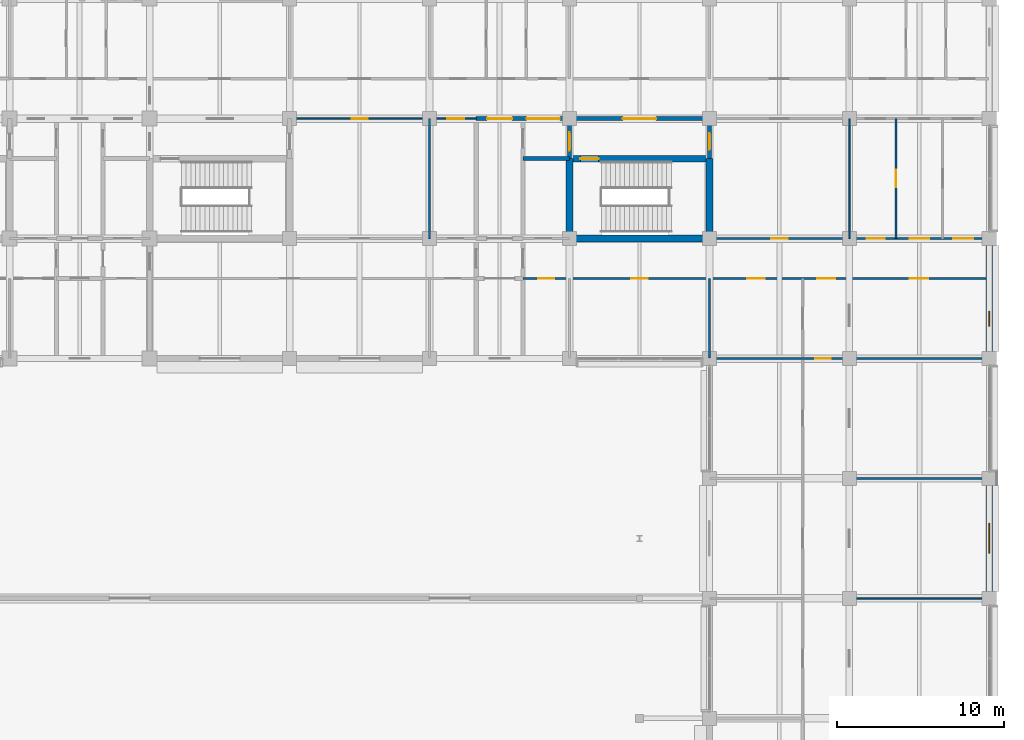
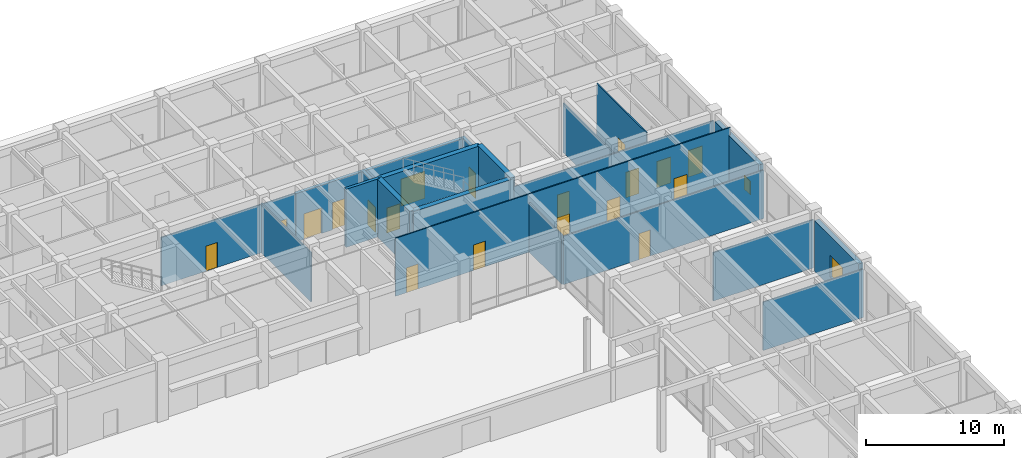
# One storey, part 57 of 73: 20 walls, 19 doors, 2 windows, 21 openings.
"""IFC4 building model written with IfcOpenShell, lengths in metres."""

from ifc_helpers import new_model, si_unit, direction, frame, frame_2d, origin, place, context, subcontext, project, spatial, rectangle, extrude, material, layer, layer_set, type_object, element, fill, save


model = new_model("IFC4")

# Units and contexts
model_context = context("Model", 3, precision=1e-05, world=origin(), true_north=direction((0.0, 1.0)))
body_context = subcontext(model_context, "Body", "Model", "MODEL_VIEW")
ifc_project = project(units=[si_unit("LENGTHUNIT", "METRE"), si_unit("AREAUNIT", "SQUARE_METRE"), si_unit("VOLUMEUNIT", "CUBIC_METRE"), si_unit("PLANEANGLEUNIT", "RADIAN"), si_unit("MASSUNIT", "GRAM", prefix="KILO")], contexts=[model_context])

# Site, building, storey
site_placement = place(None, origin())
site = spatial("IfcSite", under=ifc_project, at=site_placement, CompositionType="ELEMENT")
building_placement = place(site_placement, origin())
building = spatial("IfcBuilding", under=site, at=building_placement, Name="Chengyuan Square Courthouse", CompositionType="ELEMENT")
storey_placement = place(building_placement, origin())
storey = spatial("IfcBuildingStorey", under=building, at=storey_placement, Name="L01", CompositionType="ELEMENT", Elevation=0.0)

# Wall, opening, window
ifc_material_1 = material(Name="Concrete C40", Category="concrete")
ifc_layer_1 = layer(ifc_material_1, 0.3798828125)
ifc_layer_set_1 = layer_set([ifc_layer_1], Name="Concrete C40")
wall_type_1 = type_object("IfcWallType", Name="WL-EW1", PredefinedType="STANDARD", material=ifc_layer_set_1)
wall_1_placement = place(storey_placement, frame((168.0, 65.219970703125, 0.0), z_axis=(0.0, 0.0, 1.0), x_axis=(0.0, 1.0, 0.0)))
wall_1 = element("IfcWall", 1, at=wall_1_placement, inside=storey, type_object=wall_type_1, Name="Exterior Wall WL-L01-E200", PredefinedType="STANDARD", context=body_context, shape_type="SweptSolid", body=[
    extrude(rectangle(XDim=6.360107421875, YDim=0.3798828125, at=frame_2d((3.18017578125, 0.0))), origin(), (0.0, 0.0, 1.0), 4.469970703125),
])
opening_1_placement = place(wall_1_placement, frame((2.280029296875, 0.0, 0.85009765625)))
opening_1 = element("IfcOpeningElement", 2, at=opening_1_placement, cuts=wall_1, Name="Opening WN-014", PredefinedType="OPENING", context=body_context, shape_type="SweptSolid", body=[
    extrude(rectangle(XDim=1.800048828125, YDim=1.919921875, at=frame_2d((0.89990234375, 0.9599609375))), frame((0.0, 0.201904296875, 0.0), z_axis=(0.0, -1.0, 0.0), x_axis=(1.0, 0.0, 0.0)), (0.0, 0.0, 1.0), 0.40380859375),
])
ifc_material_2 = material(Name="Thermally Broken Aluminium Triple Low-E Window", Category="aluminium")
window_type_1 = type_object("IfcWindowType", Name="WT-35", PartitioningType="SINGLE_PANEL", PredefinedType="WINDOW", material=ifc_material_2)
window_1_placement = place(opening_1_placement, origin())
window_1 = element("IfcWindow", 3, at=window_1_placement, inside=storey, type_object=window_type_1, Name="Facade Window WN-014", OverallHeight=1.919921875, OverallWidth=1.800048828125, PartitioningType="SINGLE_PANEL", PredefinedType="WINDOW", context=body_context, shape_type="SweptSolid", body=[
    extrude(rectangle(XDim=1.800048828125, YDim=1.919921875, at=frame_2d((0.89990234375, 0.9599609375))), frame((0.0, 0.030029296875, 0.0), z_axis=(0.0, -1.0, 0.0), x_axis=(1.0, 0.0, 0.0)), (0.0, 0.0, 1.0), 0.06005859375),
])
fill(opening_1, window_1)

wall_2_placement = place(storey_placement, frame((168.0, 79.6201171875, 0.0), z_axis=(0.0, 0.0, 1.0), x_axis=(0.0, 1.0, 0.0)))
wall_2 = element("IfcWall", 4, at=wall_2_placement, inside=storey, type_object=wall_type_1, Name="Exterior Wall WL-L01-E201", PredefinedType="STANDARD", context=body_context, shape_type="SweptSolid", body=[
    extrude(rectangle(XDim=6.35986328125, YDim=0.3798828125, at=frame_2d((3.179931640625, 0.0))), origin(), (0.0, 0.0, 1.0), 4.469970703125),
])
opening_2_placement = place(wall_2_placement, frame((1.530029296875, 0.0, 0.85009765625)))
opening_2 = element("IfcOpeningElement", 5, at=opening_2_placement, cuts=wall_2, Name="Opening WN-015", PredefinedType="OPENING", context=body_context, shape_type="SweptSolid", body=[
    extrude(rectangle(XDim=0.89990234375, YDim=1.199951171875, at=frame_2d((0.449951171875, 0.60009765625))), frame((0.0, 0.201904296875, 0.0), z_axis=(0.0, -1.0, 0.0), x_axis=(1.0, 0.0, 0.0)), (0.0, 0.0, 1.0), 0.40380859375),
])
window_type_2 = type_object("IfcWindowType", Name="WT-01", PartitioningType="SINGLE_PANEL", PredefinedType="WINDOW", material=ifc_material_2)
window_2_placement = place(opening_2_placement, origin())
window_2 = element("IfcWindow", 6, at=window_2_placement, inside=storey, type_object=window_type_2, Name="Facade Window WN-015", OverallHeight=1.199951171875, OverallWidth=0.89990234375, PartitioningType="SINGLE_PANEL", PredefinedType="WINDOW", context=body_context, shape_type="SweptSolid", body=[
    extrude(rectangle(XDim=0.89990234375, YDim=1.199951171875, at=frame_2d((0.449951171875, 0.60009765625))), frame((0.0, 0.030029296875, 0.0), z_axis=(0.0, -1.0, 0.0), x_axis=(1.0, 0.0, 0.0)), (0.0, 0.0, 1.0), 0.06005859375),
])
fill(opening_2, window_2)

# Wall
ifc_layer_2 = layer(ifc_material_1, 0.25)
ifc_layer_set_2 = layer_set([ifc_layer_2], Name="Concrete C40")
wall_type_2 = type_object("IfcWallType", Name="WL-FW1", PredefinedType="STANDARD", material=ifc_layer_set_2)
wall_3_placement = place(storey_placement, frame((140.0, 91.199951171875, 0.0), z_axis=(0.0, 0.0, 1.0), x_axis=(1.0, 0.0, 0.0)))
element("IfcWall", 7, at=wall_3_placement, inside=storey, type_object=wall_type_2, Name="Interior Wall WL-L01-I723", PredefinedType="STANDARD", context=body_context, shape_type="SweptSolid", body=[
    extrude(rectangle(XDim=2.800048828125, YDim=0.25, at=frame_2d((1.39990234375, 0.0))), origin(), (0.0, 0.0, 1.0), 5.1201171875),
])

# Wall, openings, doors
wall_4_placement = place(storey_placement, frame((137.199951171875, 93.60009765625, 0.0), z_axis=(0.0, 0.0, 1.0), x_axis=(1.0, 0.0, 0.0)))
wall_4 = element("IfcWall", 8, at=wall_4_placement, inside=storey, type_object=wall_type_2, Name="Interior Wall WL-L01-I732", PredefinedType="STANDARD", context=body_context, shape_type="SweptSolid", body=[
    extrude(rectangle(XDim=14.0, YDim=0.25, at=frame_2d((7.0, 0.0))), origin(), (0.0, 0.0, 1.0), 4.27001953125),
])
opening_3_placement = place(wall_4_placement, frame((8.800048828125, 0.0, 0.0)))
opening_3 = element("IfcOpeningElement", 9, at=opening_3_placement, cuts=wall_4, Name="Opening DR-694", PredefinedType="OPENING", context=body_context, shape_type="SweptSolid", body=[
    extrude(rectangle(XDim=2.0, YDim=2.39990234375, at=frame_2d((1.0, 1.199951171875))), frame((0.0, 0.136962890625, 0.0), z_axis=(0.0, -1.0, 0.0), x_axis=(1.0, 0.0, 0.0)), (0.0, 0.0, 1.0), 0.27392578125),
])
opening_4_placement = place(wall_4_placement, frame((0.64990234375, 0.0, 0.0)))
opening_4 = element("IfcOpeningElement", 10, at=opening_4_placement, cuts=wall_4, Name="Opening DR-837", PredefinedType="OPENING", context=body_context, shape_type="SweptSolid", body=[
    extrude(rectangle(XDim=1.5, YDim=2.25, at=frame_2d((0.75, 1.125))), frame((0.0, 0.136962890625, 0.0), z_axis=(0.0, -1.0, 0.0), x_axis=(1.0, 0.0, 0.0)), (0.0, 0.0, 1.0), 0.27392578125),
])
opening_5_placement = place(wall_4_placement, frame((3.027587890625, 0.0, 0.0)))
opening_5 = element("IfcOpeningElement", 11, at=opening_5_placement, cuts=wall_4, Name="Opening DR-838", PredefinedType="OPENING", context=body_context, shape_type="SweptSolid", body=[
    extrude(rectangle(XDim=2.0, YDim=2.39990234375, at=frame_2d((1.0, 1.199951171875))), frame((0.0, 0.136962890625, 0.0), z_axis=(0.0, -1.0, 0.0), x_axis=(1.0, 0.0, 0.0)), (0.0, 0.0, 1.0), 0.27392578125),
])
ifc_material_3 = material(Name="Steel Q235B Glazed Fire Door", Category="steel")
door_type_1 = type_object("IfcDoorType", Name="DT-19", OperationType="DOUBLE_DOOR_SINGLE_SWING", PredefinedType="DOOR", material=ifc_material_3)
door_1_placement = place(opening_4_placement, frame((1.5, 0.0, 0.0), z_axis=(0.0, 0.0, 1.0), x_axis=(-1.0, 0.0, 0.0)))
door_1 = element("IfcDoor", 12, at=door_1_placement, inside=storey, type_object=door_type_1, Name="Interior Door DR-837", OperationType="DOUBLE_DOOR_SINGLE_SWING", OverallHeight=2.25, OverallWidth=1.5, PredefinedType="DOOR", context=body_context, shape_type="SweptSolid", body=[
    extrude(rectangle(XDim=1.5, YDim=2.25, at=frame_2d((0.75, 1.125))), frame((0.0, 0.02490234375, 0.0), z_axis=(0.0, -1.0, 0.0), x_axis=(1.0, 0.0, 0.0)), (0.0, 0.0, 1.0), 0.050048828125),
])
fill(opening_4, door_1)
door_type_2 = type_object("IfcDoorType", Name="DT-20", OperationType="DOUBLE_DOOR_SINGLE_SWING", PredefinedType="DOOR", material=ifc_material_3)
door_2_placement = place(opening_3_placement, frame((2.0, 0.0, 0.0), z_axis=(0.0, 0.0, 1.0), x_axis=(-1.0, 0.0, 0.0)))
door_2 = element("IfcDoor", 13, at=door_2_placement, inside=storey, type_object=door_type_2, Name="Interior Door DR-694", OperationType="DOUBLE_DOOR_SINGLE_SWING", OverallHeight=2.39990234375, OverallWidth=2.0, PredefinedType="DOOR", context=body_context, shape_type="SweptSolid", body=[
    extrude(rectangle(XDim=2.0, YDim=2.39990234375, at=frame_2d((1.0, 1.199951171875))), frame((0.0, 0.02490234375, 0.0), z_axis=(0.0, -1.0, 0.0), x_axis=(1.0, 0.0, 0.0)), (0.0, 0.0, 1.0), 0.050048828125),
])
fill(opening_3, door_2)
door_3_placement = place(opening_5_placement, frame((2.0, 0.0, 0.0), z_axis=(0.0, 0.0, 1.0), x_axis=(-1.0, 0.0, 0.0)))
door_3 = element("IfcDoor", 14, at=door_3_placement, inside=storey, type_object=door_type_2, Name="Interior Door DR-838", OperationType="DOUBLE_DOOR_SINGLE_SWING", OverallHeight=2.39990234375, OverallWidth=2.0, PredefinedType="DOOR", context=body_context, shape_type="SweptSolid", body=[
    extrude(rectangle(XDim=2.0, YDim=2.39990234375, at=frame_2d((1.0, 1.199951171875))), frame((0.0, 0.02490234375, 0.0), z_axis=(0.0, -1.0, 0.0), x_axis=(1.0, 0.0, 0.0)), (0.0, 0.0, 1.0), 0.050048828125),
])
fill(opening_5, door_3)

# Wall, opening, door
wall_5_placement = place(storey_placement, frame((142.800048828125, 91.199951171875, 0.0), z_axis=(0.0, 0.0, 1.0), x_axis=(0.0, 1.0, 0.0)))
wall_5 = element("IfcWall", 15, at=wall_5_placement, inside=storey, type_object=wall_type_2, Name="Interior Wall WL-L01-I985", PredefinedType="STANDARD", context=body_context, shape_type="SweptSolid", body=[
    extrude(rectangle(XDim=2.400146484375, YDim=0.25, at=frame_2d((1.2001953125, 0.0))), origin(), (0.0, 0.0, 1.0), 4.3701171875),
])
opening_6_placement = place(wall_5_placement, frame((0.4775390625, 0.0, 0.0)))
opening_6 = element("IfcOpeningElement", 16, at=opening_6_placement, cuts=wall_5, Name="Opening DR-695", PredefinedType="OPENING", context=body_context, shape_type="SweptSolid", body=[
    extrude(rectangle(XDim=1.10009765625, YDim=2.199951171875, at=frame_2d((0.550048828125, 1.10009765625))), frame((0.0, 0.136962890625, 0.0), z_axis=(0.0, -1.0, 0.0), x_axis=(1.0, 0.0, 0.0)), (0.0, 0.0, 1.0), 0.27392578125),
])
ifc_material_4 = material(Name="Steel Q235B Fire Door", Category="steel")
door_type_3 = type_object("IfcDoorType", Name="DT-10", OperationType="NOTDEFINED", PredefinedType="DOOR", material=ifc_material_4)
door_4_placement = place(opening_6_placement, origin())
door_4 = element("IfcDoor", 17, at=door_4_placement, inside=storey, type_object=door_type_3, Name="Interior Door DR-695", OperationType="SINGLE_SWING_RIGHT", OverallHeight=2.199951171875, OverallWidth=1.10009765625, PredefinedType="DOOR", context=body_context, shape_type="SweptSolid", body=[
    extrude(rectangle(XDim=1.10009765625, YDim=2.199951171875, at=frame_2d((0.550048828125, 1.10009765625))), frame((0.0, 0.02490234375, 0.0), z_axis=(0.0, -1.0, 0.0), x_axis=(1.0, 0.0, 0.0)), (0.0, 0.0, 1.0), 0.050048828125),
])
fill(opening_6, door_4)

wall_6_placement = place(storey_placement, frame((151.199951171875, 91.199951171875, 0.0), z_axis=(0.0, 0.0, 1.0), x_axis=(0.0, 1.0, 0.0)))
wall_6 = element("IfcWall", 18, at=wall_6_placement, inside=storey, type_object=wall_type_2, Name="Interior Wall WL-L01-I990", PredefinedType="STANDARD", context=body_context, shape_type="SweptSolid", body=[
    extrude(rectangle(XDim=2.400146484375, YDim=0.25, at=frame_2d((1.2001953125, 0.0))), origin(), (0.0, 0.0, 1.0), 4.3701171875),
])
opening_7_placement = place(wall_6_placement, frame((0.527587890625, 0.0, 0.0)))
opening_7 = element("IfcOpeningElement", 19, at=opening_7_placement, cuts=wall_6, Name="Opening DR-696", PredefinedType="OPENING", context=body_context, shape_type="SweptSolid", body=[
    extrude(rectangle(XDim=1.0, YDim=2.199951171875, at=frame_2d((0.5, 1.10009765625))), frame((0.0, 0.136962890625, 0.0), z_axis=(0.0, -1.0, 0.0), x_axis=(1.0, 0.0, 0.0)), (0.0, 0.0, 1.0), 0.27392578125),
])
door_type_4 = type_object("IfcDoorType", Name="DT-11", OperationType="NOTDEFINED", PredefinedType="DOOR", material=ifc_material_4)
door_5_placement = place(opening_7_placement, origin())
door_5 = element("IfcDoor", 20, at=door_5_placement, inside=storey, type_object=door_type_4, Name="Interior Door DR-696", OperationType="SINGLE_SWING_LEFT", OverallHeight=2.199951171875, OverallWidth=1.0, PredefinedType="DOOR", context=body_context, shape_type="SweptSolid", body=[
    extrude(rectangle(XDim=1.0, YDim=2.199951171875, at=frame_2d((0.5, 1.10009765625))), frame((0.0, 0.02490234375, 0.0), z_axis=(0.0, -1.0, 0.0), x_axis=(1.0, 0.0, 0.0)), (0.0, 0.0, 1.0), 0.050048828125),
])
fill(opening_7, door_5)

# Walls
ifc_material_5 = material(Name="Gypsum Plasterboard Acoustic Stud Partition")
ifc_layer_3 = layer(ifc_material_5, 0.10009765625)
ifc_layer_set_3 = layer_set([ifc_layer_3], Name="Gypsum Plasterboard Acoustic Stud Partition")
wall_type_3 = type_object("IfcWallType", Name="WL-PT6", PredefinedType="STANDARD", material=ifc_layer_set_3)
for number, where, z_axis, x_axis, name in (
    (21, (159.60009765625, 64.800048828125, 0.0), (0.0, 0.0, 1.0), (1.0, 0.0, 0.0), "Interior Wall WL-L01-I663"),
    (22, (159.60009765625, 72.0, 0.0), (0.0, 0.0, 1.0), (1.0, 0.0, 0.0), "Interior Wall WL-L01-I666"),
):
    element("IfcWall", number, at=place(storey_placement, frame(where, z_axis=z_axis, x_axis=x_axis)), inside=storey, type_object=wall_type_3, Name=name, PredefinedType="STANDARD", context=body_context, shape_type="SweptSolid", body=[
        extrude(rectangle(XDim=8.35986328125, YDim=0.10009765625, at=frame_2d((4.179931640625, 0.0))), origin(), (0.0, 0.0, 1.0), 4.27001953125),
    ])

# Wall, opening, door
wall_7_placement = place(storey_placement, frame((151.239990234375, 79.199951171875, 0.0), z_axis=(0.0, 0.0, 1.0), x_axis=(1.0, 0.0, 0.0)))
wall_7 = element("IfcWall", 23, at=wall_7_placement, inside=storey, type_object=wall_type_3, Name="Interior Wall WL-L01-I669", PredefinedType="STANDARD", context=body_context, shape_type="SweptSolid", body=[
    extrude(rectangle(XDim=16.719970703125, YDim=0.10009765625, at=frame_2d((8.35986328125, 0.0))), origin(), (0.0, 0.0, 1.0), 4.27001953125),
])
opening_8_placement = place(wall_7_placement, frame((6.3173828125, 0.0, 0.0)))
opening_8 = element("IfcOpeningElement", 24, at=opening_8_placement, cuts=wall_7, Name="Opening DR-946", PredefinedType="OPENING", context=body_context, shape_type="SweptSolid", body=[
    extrude(rectangle(XDim=0.93994140625, YDim=2.300048828125, at=frame_2d((0.469970703125, 1.14990234375))), frame((0.0, 0.06201171875, 0.0), z_axis=(0.0, -1.0, 0.0), x_axis=(1.0, 0.0, 0.0)), (0.0, 0.0, 1.0), 0.1240234375),
])
ifc_material_6 = material(Name="Acoustic Solid-Core Timber Door", Category="wood")
door_type_5 = type_object("IfcDoorType", Name="DT-39", OperationType="NOTDEFINED", PredefinedType="DOOR", material=ifc_material_6)
door_6_placement = place(opening_8_placement, origin())
door_6 = element("IfcDoor", 25, at=door_6_placement, inside=storey, type_object=door_type_5, Name="Interior Door DR-946", OperationType="SINGLE_SWING_RIGHT", OverallHeight=2.300048828125, OverallWidth=0.93994140625, PredefinedType="DOOR", context=body_context, shape_type="SweptSolid", body=[
    extrude(rectangle(XDim=0.93994140625, YDim=2.300048828125, at=frame_2d((0.469970703125, 1.14990234375))), frame((0.0, 0.02490234375, 0.0), z_axis=(0.0, -1.0, 0.0), x_axis=(1.0, 0.0, 0.0)), (0.0, 0.0, 1.0), 0.050048828125),
])
fill(opening_8, door_6)

# Wall, openings, doors
wall_8_placement = place(storey_placement, frame((140.0, 84.0, 0.0), z_axis=(0.0, 0.0, 1.0), x_axis=(1.0, 0.0, 0.0)))
wall_8 = element("IfcWall", 26, at=wall_8_placement, inside=storey, type_object=wall_type_3, Name="Interior Wall WL-L01-I679", PredefinedType="STANDARD", context=body_context, shape_type="SweptSolid", body=[
    extrude(rectangle(XDim=27.9599609375, YDim=0.10009765625, at=frame_2d((13.97998046875, 0.0))), origin(), (0.0, 0.0, 1.0), 5.1201171875),
])
opening_9_placement = place(wall_8_placement, frame((0.919921875, 0.0, 0.0)))
opening_9 = element("IfcOpeningElement", 27, at=opening_9_placement, cuts=wall_8, Name="Opening DR-937", PredefinedType="OPENING", context=body_context, shape_type="SweptSolid", body=[
    extrude(rectangle(XDim=0.9599609375, YDim=2.199951171875, at=frame_2d((0.47998046875, 1.10009765625))), frame((0.0, 0.06201171875, 0.0), z_axis=(0.0, -1.0, 0.0), x_axis=(1.0, 0.0, 0.0)), (0.0, 0.0, 1.0), 0.1240234375),
])
opening_10_placement = place(wall_8_placement, frame((6.5, 0.0, 0.0)))
opening_10 = element("IfcOpeningElement", 28, at=opening_10_placement, cuts=wall_8, Name="Opening DR-938", PredefinedType="OPENING", context=body_context, shape_type="SweptSolid", body=[
    extrude(rectangle(XDim=1.0, YDim=2.25, at=frame_2d((0.5, 1.125))), frame((0.0, 0.06201171875, 0.0), z_axis=(0.0, -1.0, 0.0), x_axis=(1.0, 0.0, 0.0)), (0.0, 0.0, 1.0), 0.1240234375),
])
opening_11_placement = place(wall_8_placement, frame((13.47998046875, 0.0, 0.0)))
opening_11 = element("IfcOpeningElement", 29, at=opening_11_placement, cuts=wall_8, Name="Opening DR-939", PredefinedType="OPENING", context=body_context, shape_type="SweptSolid", body=[
    extrude(rectangle(XDim=1.0400390625, YDim=2.199951171875, at=frame_2d((0.52001953125, 1.10009765625))), frame((0.0, 0.06201171875, 0.0), z_axis=(0.0, -1.0, 0.0), x_axis=(1.0, 0.0, 0.0)), (0.0, 0.0, 1.0), 0.1240234375),
])
opening_12_placement = place(wall_8_placement, frame((17.659912109375, 0.0, 0.0)))
opening_12 = element("IfcOpeningElement", 30, at=opening_12_placement, cuts=wall_8, Name="Opening DR-940", PredefinedType="OPENING", context=body_context, shape_type="SweptSolid", body=[
    extrude(rectangle(XDim=1.080078125, YDim=2.25, at=frame_2d((0.5400390625, 1.125))), frame((0.0, 0.06201171875, 0.0), z_axis=(0.0, -1.0, 0.0), x_axis=(1.0, 0.0, 0.0)), (0.0, 0.0, 1.0), 0.1240234375),
])
opening_13_placement = place(wall_8_placement, frame((23.219970703125, 0.0, 0.0)))
opening_13 = element("IfcOpeningElement", 31, at=opening_13_placement, cuts=wall_8, Name="Opening DR-941", PredefinedType="OPENING", context=body_context, shape_type="SweptSolid", body=[
    extrude(rectangle(XDim=1.1201171875, YDim=2.25, at=frame_2d((0.56005859375, 1.125))), frame((0.0, 0.06201171875, 0.0), z_axis=(0.0, -1.0, 0.0), x_axis=(1.0, 0.0, 0.0)), (0.0, 0.0, 1.0), 0.1240234375),
])
door_type_6 = type_object("IfcDoorType", Name="DT-30", OperationType="NOTDEFINED", PredefinedType="DOOR", material=ifc_material_6)
door_7_placement = place(opening_9_placement, origin())
door_7 = element("IfcDoor", 32, at=door_7_placement, inside=storey, type_object=door_type_6, Name="Interior Door DR-937", OperationType="SINGLE_SWING_LEFT", OverallHeight=2.199951171875, OverallWidth=0.9599609375, PredefinedType="DOOR", context=body_context, shape_type="SweptSolid", body=[
    extrude(rectangle(XDim=0.9599609375, YDim=2.199951171875, at=frame_2d((0.47998046875, 1.10009765625))), frame((0.0, 0.02490234375, 0.0), z_axis=(0.0, -1.0, 0.0), x_axis=(1.0, 0.0, 0.0)), (0.0, 0.0, 1.0), 0.050048828125),
])
fill(opening_9, door_7)
door_type_7 = type_object("IfcDoorType", Name="DT-31", OperationType="NOTDEFINED", PredefinedType="DOOR", material=ifc_material_6)
door_8_placement = place(opening_10_placement, origin())
door_8 = element("IfcDoor", 33, at=door_8_placement, inside=storey, type_object=door_type_7, Name="Interior Door DR-938", OperationType="SINGLE_SWING_RIGHT", OverallHeight=2.25, OverallWidth=1.0, PredefinedType="DOOR", context=body_context, shape_type="SweptSolid", body=[
    extrude(rectangle(XDim=1.0, YDim=2.25, at=frame_2d((0.5, 1.125))), frame((0.0, 0.02490234375, 0.0), z_axis=(0.0, -1.0, 0.0), x_axis=(1.0, 0.0, 0.0)), (0.0, 0.0, 1.0), 0.050048828125),
])
fill(opening_10, door_8)
door_type_8 = type_object("IfcDoorType", Name="DT-32", OperationType="NOTDEFINED", PredefinedType="DOOR", material=ifc_material_6)
door_9_placement = place(opening_11_placement, origin())
door_9 = element("IfcDoor", 34, at=door_9_placement, inside=storey, type_object=door_type_8, Name="Interior Door DR-939", OperationType="SINGLE_SWING_LEFT", OverallHeight=2.199951171875, OverallWidth=1.0400390625, PredefinedType="DOOR", context=body_context, shape_type="SweptSolid", body=[
    extrude(rectangle(XDim=1.0400390625, YDim=2.199951171875, at=frame_2d((0.52001953125, 1.10009765625))), frame((0.0, 0.02490234375, 0.0), z_axis=(0.0, -1.0, 0.0), x_axis=(1.0, 0.0, 0.0)), (0.0, 0.0, 1.0), 0.050048828125),
])
fill(opening_11, door_9)
door_type_9 = type_object("IfcDoorType", Name="DT-33", OperationType="NOTDEFINED", PredefinedType="DOOR", material=ifc_material_6)
door_10_placement = place(opening_12_placement, origin())
door_10 = element("IfcDoor", 35, at=door_10_placement, inside=storey, type_object=door_type_9, Name="Interior Door DR-940", OperationType="SINGLE_SWING_RIGHT", OverallHeight=2.25, OverallWidth=1.080078125, PredefinedType="DOOR", context=body_context, shape_type="SweptSolid", body=[
    extrude(rectangle(XDim=1.080078125, YDim=2.25, at=frame_2d((0.5400390625, 1.125))), frame((0.0, 0.02490234375, 0.0), z_axis=(0.0, -1.0, 0.0), x_axis=(1.0, 0.0, 0.0)), (0.0, 0.0, 1.0), 0.050048828125),
])
fill(opening_12, door_10)
door_type_10 = type_object("IfcDoorType", Name="DT-34", OperationType="NOTDEFINED", PredefinedType="DOOR", material=ifc_material_6)
door_11_placement = place(opening_13_placement, origin())
door_11 = element("IfcDoor", 36, at=door_11_placement, inside=storey, type_object=door_type_10, Name="Interior Door DR-941", OperationType="SINGLE_SWING_LEFT", OverallHeight=2.25, OverallWidth=1.1201171875, PredefinedType="DOOR", context=body_context, shape_type="SweptSolid", body=[
    extrude(rectangle(XDim=1.1201171875, YDim=2.25, at=frame_2d((0.56005859375, 1.125))), frame((0.0, 0.02490234375, 0.0), z_axis=(0.0, -1.0, 0.0), x_axis=(1.0, 0.0, 0.0)), (0.0, 0.0, 1.0), 0.050048828125),
])
fill(opening_13, door_11)

wall_9_placement = place(storey_placement, frame((151.199951171875, 86.39990234375, 0.0), z_axis=(0.0, 0.0, 1.0), x_axis=(1.0, 0.0, 0.0)))
wall_9 = element("IfcWall", 37, at=wall_9_placement, inside=storey, type_object=wall_type_3, Name="Interior Wall WL-L01-I703", PredefinedType="STANDARD", context=body_context, shape_type="SweptSolid", body=[
    extrude(rectangle(XDim=16.760009765625, YDim=0.10009765625, at=frame_2d((8.3798828125, 0.0))), origin(), (0.0, 0.0, 1.0), 4.27001953125),
])
opening_14_placement = place(wall_9_placement, frame((3.699951171875, 0.0, 0.0)))
opening_14 = element("IfcOpeningElement", 38, at=opening_14_placement, cuts=wall_9, Name="Opening DR-887", PredefinedType="OPENING", context=body_context, shape_type="SweptSolid", body=[
    extrude(rectangle(XDim=1.0, YDim=2.25, at=frame_2d((0.5, 1.125))), frame((0.0, 0.06201171875, 0.0), z_axis=(0.0, -1.0, 0.0), x_axis=(1.0, 0.0, 0.0)), (0.0, 0.0, 1.0), 0.1240234375),
])
opening_15_placement = place(wall_9_placement, frame((9.4326171875, 0.0, 0.0)))
opening_15 = element("IfcOpeningElement", 39, at=opening_15_placement, cuts=wall_9, Name="Opening DR-889", PredefinedType="OPENING", context=body_context, shape_type="SweptSolid", body=[
    extrude(rectangle(XDim=1.080078125, YDim=2.25, at=frame_2d((0.5400390625, 1.125))), frame((0.0, 0.06201171875, 0.0), z_axis=(0.0, -1.0, 0.0), x_axis=(1.0, 0.0, 0.0)), (0.0, 0.0, 1.0), 0.1240234375),
])
opening_16_placement = place(wall_9_placement, frame((12.02001953125, 0.0, 0.0)))
opening_16 = element("IfcOpeningElement", 40, at=opening_16_placement, cuts=wall_9, Name="Opening DR-891", PredefinedType="OPENING", context=body_context, shape_type="SweptSolid", body=[
    extrude(rectangle(XDim=1.159912109375, YDim=2.300048828125, at=frame_2d((0.580078125, 1.14990234375))), frame((0.0, 0.06201171875, 0.0), z_axis=(0.0, -1.0, 0.0), x_axis=(1.0, 0.0, 0.0)), (0.0, 0.0, 1.0), 0.1240234375),
])
opening_17_placement = place(wall_9_placement, frame((14.62744140625, 0.0, 0.0)))
opening_17 = element("IfcOpeningElement", 41, at=opening_17_placement, cuts=wall_9, Name="Opening DR-892", PredefinedType="OPENING", context=body_context, shape_type="SweptSolid", body=[
    extrude(rectangle(XDim=1.199951171875, YDim=2.35009765625, at=frame_2d((0.60009765625, 1.175048828125))), frame((0.0, 0.06201171875, 0.0), z_axis=(0.0, -1.0, 0.0), x_axis=(1.0, 0.0, 0.0)), (0.0, 0.0, 1.0), 0.1240234375),
])
door_12_placement = place(opening_14_placement, origin())
door_12 = element("IfcDoor", 42, at=door_12_placement, inside=storey, type_object=door_type_7, Name="Interior Door DR-887", OperationType="SINGLE_SWING_LEFT", OverallHeight=2.25, OverallWidth=1.0, PredefinedType="DOOR", context=body_context, shape_type="SweptSolid", body=[
    extrude(rectangle(XDim=1.0, YDim=2.25, at=frame_2d((0.5, 1.125))), frame((0.0, 0.02490234375, 0.0), z_axis=(0.0, -1.0, 0.0), x_axis=(1.0, 0.0, 0.0)), (0.0, 0.0, 1.0), 0.050048828125),
])
fill(opening_14, door_12)
door_13_placement = place(opening_15_placement, origin())
door_13 = element("IfcDoor", 43, at=door_13_placement, inside=storey, type_object=door_type_9, Name="Interior Door DR-889", OperationType="SINGLE_SWING_LEFT", OverallHeight=2.25, OverallWidth=1.080078125, PredefinedType="DOOR", context=body_context, shape_type="SweptSolid", body=[
    extrude(rectangle(XDim=1.080078125, YDim=2.25, at=frame_2d((0.5400390625, 1.125))), frame((0.0, 0.02490234375, 0.0), z_axis=(0.0, -1.0, 0.0), x_axis=(1.0, 0.0, 0.0)), (0.0, 0.0, 1.0), 0.050048828125),
])
fill(opening_15, door_13)
door_type_11 = type_object("IfcDoorType", Name="DT-35", OperationType="NOTDEFINED", PredefinedType="DOOR", material=ifc_material_6)
door_14_placement = place(opening_16_placement, origin())
door_14 = element("IfcDoor", 44, at=door_14_placement, inside=storey, type_object=door_type_11, Name="Interior Door DR-891", OperationType="SINGLE_SWING_LEFT", OverallHeight=2.300048828125, OverallWidth=1.159912109375, PredefinedType="DOOR", context=body_context, shape_type="SweptSolid", body=[
    extrude(rectangle(XDim=1.159912109375, YDim=2.300048828125, at=frame_2d((0.580078125, 1.14990234375))), frame((0.0, 0.02490234375, 0.0), z_axis=(0.0, -1.0, 0.0), x_axis=(1.0, 0.0, 0.0)), (0.0, 0.0, 1.0), 0.050048828125),
])
fill(opening_16, door_14)
door_type_12 = type_object("IfcDoorType", Name="DT-36", OperationType="NOTDEFINED", PredefinedType="DOOR", material=ifc_material_6)
door_15_placement = place(opening_17_placement, origin())
door_15 = element("IfcDoor", 45, at=door_15_placement, inside=storey, type_object=door_type_12, Name="Interior Door DR-892", OperationType="SINGLE_SWING_RIGHT", OverallHeight=2.35009765625, OverallWidth=1.199951171875, PredefinedType="DOOR", context=body_context, shape_type="SweptSolid", body=[
    extrude(rectangle(XDim=1.199951171875, YDim=2.35009765625, at=frame_2d((0.60009765625, 1.175048828125))), frame((0.0, 0.02490234375, 0.0), z_axis=(0.0, -1.0, 0.0), x_axis=(1.0, 0.0, 0.0)), (0.0, 0.0, 1.0), 0.050048828125),
])
fill(opening_17, door_15)

wall_10_placement = place(storey_placement, frame((126.0, 93.60009765625, 0.0), z_axis=(0.0, 0.0, 1.0), x_axis=(1.0, 0.0, 0.0)))
wall_10 = element("IfcWall", 46, at=wall_10_placement, inside=storey, type_object=wall_type_3, Name="Interior Wall WL-L01-I731", PredefinedType="STANDARD", context=body_context, shape_type="SweptSolid", body=[
    extrude(rectangle(XDim=11.199951171875, YDim=0.10009765625, at=frame_2d((5.60009765625, 0.0))), origin(), (0.0, 0.0, 1.0), 4.27001953125),
])
opening_18_placement = place(wall_10_placement, frame((3.719970703125, 0.0, 0.0)))
opening_18 = element("IfcOpeningElement", 47, at=opening_18_placement, cuts=wall_10, Name="Opening DR-835", PredefinedType="OPENING", context=body_context, shape_type="SweptSolid", body=[
    extrude(rectangle(XDim=0.9599609375, YDim=2.199951171875, at=frame_2d((0.47998046875, 1.10009765625))), frame((0.0, 0.06201171875, 0.0), z_axis=(0.0, -1.0, 0.0), x_axis=(1.0, 0.0, 0.0)), (0.0, 0.0, 1.0), 0.1240234375),
])
opening_19_placement = place(wall_10_placement, frame((9.472412109375, 0.0, 0.0)))
opening_19 = element("IfcOpeningElement", 48, at=opening_19_placement, cuts=wall_10, Name="Opening DR-836", PredefinedType="OPENING", context=body_context, shape_type="SweptSolid", body=[
    extrude(rectangle(XDim=1.0, YDim=2.25, at=frame_2d((0.5, 1.125))), frame((0.0, 0.06201171875, 0.0), z_axis=(0.0, -1.0, 0.0), x_axis=(1.0, 0.0, 0.0)), (0.0, 0.0, 1.0), 0.1240234375),
])
door_16_placement = place(opening_18_placement, origin())
door_16 = element("IfcDoor", 49, at=door_16_placement, inside=storey, type_object=door_type_6, Name="Interior Door DR-835", OperationType="SINGLE_SWING_RIGHT", OverallHeight=2.199951171875, OverallWidth=0.9599609375, PredefinedType="DOOR", context=body_context, shape_type="SweptSolid", body=[
    extrude(rectangle(XDim=0.9599609375, YDim=2.199951171875, at=frame_2d((0.47998046875, 1.10009765625))), frame((0.0, 0.02490234375, 0.0), z_axis=(0.0, -1.0, 0.0), x_axis=(1.0, 0.0, 0.0)), (0.0, 0.0, 1.0), 0.050048828125),
])
fill(opening_18, door_16)
door_17_placement = place(opening_19_placement, origin())
door_17 = element("IfcDoor", 50, at=door_17_placement, inside=storey, type_object=door_type_7, Name="Interior Door DR-836", OperationType="SINGLE_SWING_LEFT", OverallHeight=2.25, OverallWidth=1.0, PredefinedType="DOOR", context=body_context, shape_type="SweptSolid", body=[
    extrude(rectangle(XDim=1.0, YDim=2.25, at=frame_2d((0.5, 1.125))), frame((0.0, 0.02490234375, 0.0), z_axis=(0.0, -1.0, 0.0), x_axis=(1.0, 0.0, 0.0)), (0.0, 0.0, 1.0), 0.050048828125),
])
fill(opening_19, door_17)

# Walls
wall_11_placement = place(storey_placement, frame((134.39990234375, 86.39990234375, 0.0), z_axis=(0.0, 0.0, 1.0), x_axis=(0.0, 1.0, 0.0)))
element("IfcWall", 51, at=wall_11_placement, inside=storey, type_object=wall_type_3, Name="Interior Wall WL-L01-I976", PredefinedType="STANDARD", context=body_context, shape_type="SweptSolid", body=[
    extrude(rectangle(XDim=7.2001953125, YDim=0.10009765625, at=frame_2d((3.60009765625, 0.0))), origin(), (0.0, 0.0, 1.0), 4.3701171875),
])
wall_12_placement = place(storey_placement, frame((151.199951171875, 79.239990234375, 0.0), z_axis=(0.0, 0.0, 1.0), x_axis=(0.0, 1.0, 0.0)))
element("IfcWall", 52, at=wall_12_placement, inside=storey, type_object=wall_type_3, Name="Interior Wall WL-L01-I988", PredefinedType="STANDARD", context=body_context, shape_type="SweptSolid", body=[
    extrude(rectangle(XDim=4.760009765625, YDim=0.10009765625, at=frame_2d((2.3798828125, 0.0))), origin(), (0.0, 0.0, 1.0), 4.3701171875),
])
wall_13_placement = place(storey_placement, frame((159.60009765625, 86.39990234375, 0.0), z_axis=(0.0, 0.0, 1.0), x_axis=(0.0, 1.0, 0.0)))
element("IfcWall", 53, at=wall_13_placement, inside=storey, type_object=wall_type_3, Name="Interior Wall WL-L01-I1004", PredefinedType="STANDARD", context=body_context, shape_type="SweptSolid", body=[
    extrude(rectangle(XDim=7.2001953125, YDim=0.10009765625, at=frame_2d((3.60009765625, 0.0))), origin(), (0.0, 0.0, 1.0), 4.3701171875),
])

# Wall, opening, door
wall_14_placement = place(storey_placement, frame((162.39990234375, 86.39990234375, 0.0), z_axis=(0.0, 0.0, 1.0), x_axis=(0.0, 1.0, 0.0)))
wall_14 = element("IfcWall", 54, at=wall_14_placement, inside=storey, type_object=wall_type_3, Name="Interior Wall WL-L01-I1008", PredefinedType="STANDARD", context=body_context, shape_type="SweptSolid", body=[
    extrude(rectangle(XDim=7.2001953125, YDim=0.10009765625, at=frame_2d((3.60009765625, 0.0))), origin(), (0.0, 0.0, 1.0), 5.1201171875),
])
opening_20_placement = place(wall_14_placement, frame((3.080078125, 0.0, 0.0)))
opening_20 = element("IfcOpeningElement", 55, at=opening_20_placement, cuts=wall_14, Name="Opening DR-888", PredefinedType="OPENING", context=body_context, shape_type="SweptSolid", body=[
    extrude(rectangle(XDim=1.0400390625, YDim=2.199951171875, at=frame_2d((0.52001953125, 1.10009765625))), frame((0.0, 0.06201171875, 0.0), z_axis=(0.0, -1.0, 0.0), x_axis=(1.0, 0.0, 0.0)), (0.0, 0.0, 1.0), 0.1240234375),
])
door_18_placement = place(opening_20_placement, origin())
door_18 = element("IfcDoor", 56, at=door_18_placement, inside=storey, type_object=door_type_8, Name="Interior Door DR-888", OperationType="SINGLE_SWING_RIGHT", OverallHeight=2.199951171875, OverallWidth=1.0400390625, PredefinedType="DOOR", context=body_context, shape_type="SweptSolid", body=[
    extrude(rectangle(XDim=1.0400390625, YDim=2.199951171875, at=frame_2d((0.52001953125, 1.10009765625))), frame((0.0, 0.02490234375, 0.0), z_axis=(0.0, -1.0, 0.0), x_axis=(1.0, 0.0, 0.0)), (0.0, 0.0, 1.0), 0.050048828125),
])
fill(opening_20, door_18)

# Wall
ifc_material_7 = material(Name="Concrete C50", Category="concrete")
ifc_layer_4 = layer(ifc_material_7, 0.39990234375)
ifc_layer_set_4 = layer_set([ifc_layer_4], Name="Concrete C50")
wall_type_4 = type_object("IfcWallType", Name="WL-SW1", PredefinedType="SHEAR", material=ifc_layer_set_4)
wall_15_placement = place(storey_placement, frame((142.800048828125, 86.39990234375, 0.0), z_axis=(0.0, 0.0, 1.0), x_axis=(1.0, 0.0, 0.0)))
element("IfcWall", 57, at=wall_15_placement, inside=storey, type_object=wall_type_4, Name="Interior Wall WL-L01-I702", PredefinedType="SHEAR", context=body_context, shape_type="SweptSolid", body=[
    extrude(rectangle(XDim=8.39990234375, YDim=0.39990234375, at=frame_2d((4.199951171875, 0.0))), origin(), (0.0, 0.0, 1.0), 5.1201171875),
])

# Wall, opening, door
wall_16_placement = place(storey_placement, frame((142.800048828125, 91.199951171875, 0.0), z_axis=(0.0, 0.0, 1.0), x_axis=(1.0, 0.0, 0.0)))
wall_16 = element("IfcWall", 58, at=wall_16_placement, inside=storey, type_object=wall_type_4, Name="Interior Wall WL-L01-I724", PredefinedType="SHEAR", context=body_context, shape_type="SweptSolid", body=[
    extrude(rectangle(XDim=8.39990234375, YDim=0.39990234375, at=frame_2d((4.199951171875, 0.0))), origin(), (0.0, 0.0, 1.0), 5.1201171875),
])
opening_21_placement = place(wall_16_placement, frame((0.64990234375, 0.0, 0.0)))
opening_21 = element("IfcOpeningElement", 59, at=opening_21_placement, cuts=wall_16, Name="Opening DR-667", PredefinedType="OPENING", context=body_context, shape_type="SweptSolid", body=[
    extrude(rectangle(XDim=1.10009765625, YDim=2.199951171875, at=frame_2d((0.550048828125, 1.10009765625))), frame((0.0, 0.2119140625, 0.0), z_axis=(0.0, -1.0, 0.0), x_axis=(1.0, 0.0, 0.0)), (0.0, 0.0, 1.0), 0.423828125),
])
door_19_placement = place(opening_21_placement, origin())
door_19 = element("IfcDoor", 60, at=door_19_placement, inside=storey, type_object=door_type_3, Name="Smoke-Proof Stairwell Fire Door ST-10 DR-667", OperationType="SINGLE_SWING_RIGHT", OverallHeight=2.199951171875, OverallWidth=1.10009765625, PredefinedType="DOOR", context=body_context, shape_type="SweptSolid", body=[
    extrude(rectangle(XDim=1.10009765625, YDim=2.199951171875, at=frame_2d((0.550048828125, 1.10009765625))), frame((0.0, 0.02490234375, 0.0), z_axis=(0.0, -1.0, 0.0), x_axis=(1.0, 0.0, 0.0)), (0.0, 0.0, 1.0), 0.050048828125),
])
fill(opening_21, door_19)

# Walls
for number, where, z_axis, x_axis, name in (
    (61, (142.800048828125, 86.39990234375, 0.0), (0.0, 0.0, 1.0), (0.0, 1.0, 0.0), "Interior Wall WL-L01-I984"),
    (62, (151.199951171875, 86.39990234375, 0.0), (0.0, 0.0, 1.0), (0.0, 1.0, 0.0), "Interior Wall WL-L01-I989"),
):
    element("IfcWall", number, at=place(storey_placement, frame(where, z_axis=z_axis, x_axis=x_axis)), inside=storey, type_object=wall_type_4, Name=name, PredefinedType="SHEAR", context=body_context, shape_type="SweptSolid", body=[
        extrude(rectangle(XDim=4.800048828125, YDim=0.39990234375, at=frame_2d((2.39990234375, 0.0))), origin(), (0.0, 0.0, 1.0), 5.1201171875),
    ])

save(model, "model.ifc")
